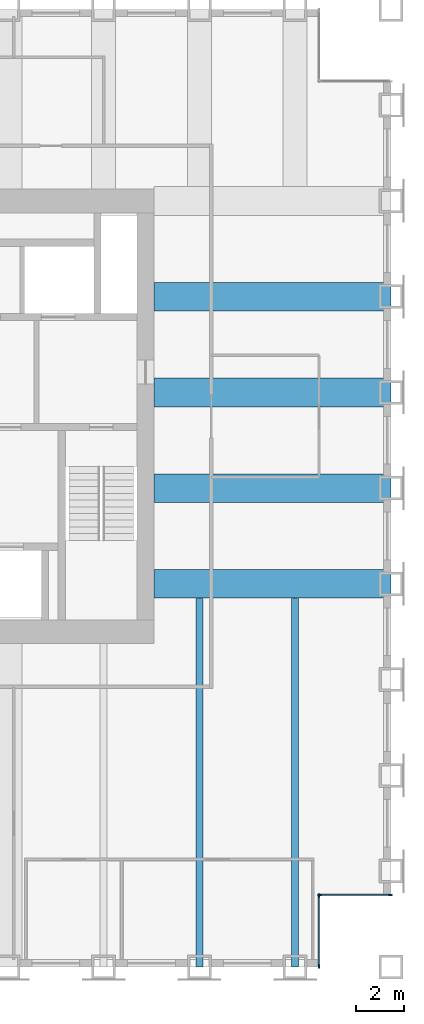
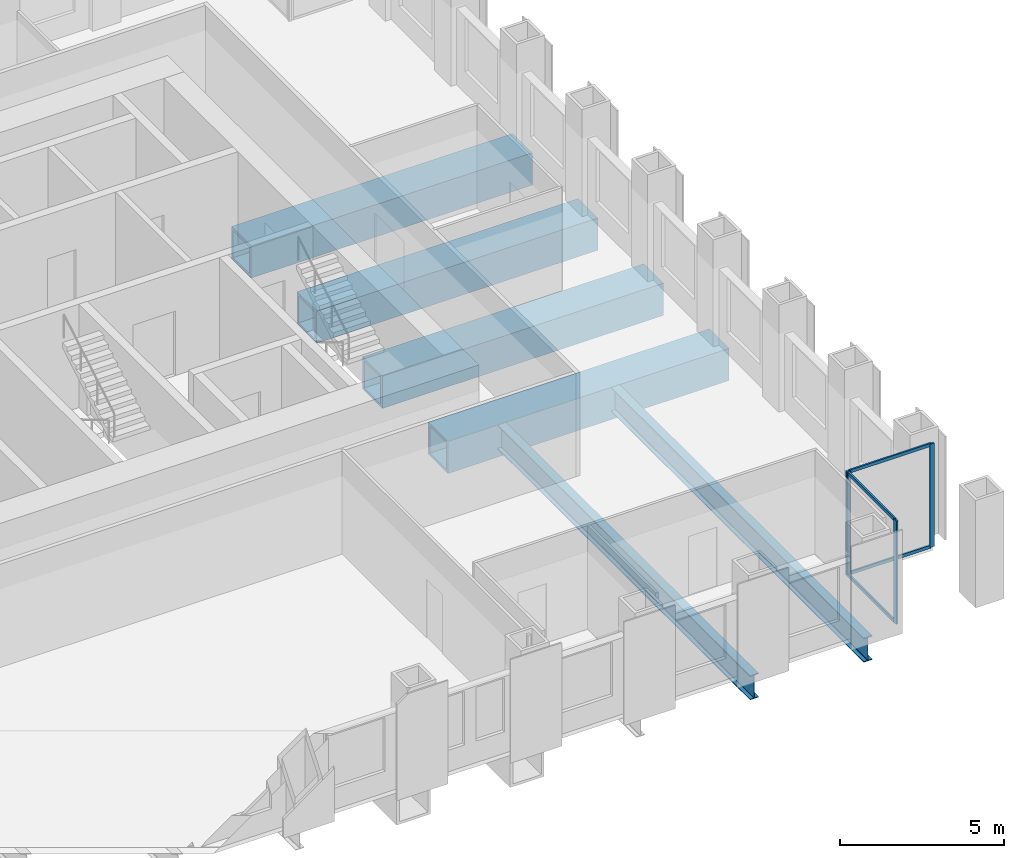
# One storey, part 3 of 10: 8 members, 6 beams, 2 elements without a shape of their own.
"""IFC4 building model written with IfcOpenShell, lengths in metres."""

from ifc_helpers import new_model, si_unit, direction, frame, origin, origin_2d, place, context, subcontext, project, spatial, rectangle, hollow_rectangle, i_section, extrude, material, material_profile, profile_set, type_object, element, aggregate, save


model = new_model("IFC4")

# Units and contexts
model_context = context("Model", 3, precision=1e-05, world=origin(), true_north=direction((0.0, 1.0)))
body_context = subcontext(model_context, "Body", "Model", "MODEL_VIEW")
ifc_project = project(units=[si_unit("LENGTHUNIT", "METRE"), si_unit("AREAUNIT", "SQUARE_METRE"), si_unit("VOLUMEUNIT", "CUBIC_METRE"), si_unit("PLANEANGLEUNIT", "RADIAN"), si_unit("MASSUNIT", "GRAM", prefix="KILO")], contexts=[model_context])

# Site, building, storey
site_placement = place(None, origin())
site = spatial("IfcSite", under=ifc_project, at=site_placement, CompositionType="ELEMENT")
building_placement = place(site_placement, origin())
building = spatial("IfcBuilding", under=site, at=building_placement, Name="Rimbunsela Tower", CompositionType="ELEMENT")
storey_placement = place(building_placement, frame((0.0, 0.0, 274.199951171875)))
storey = spatial("IfcBuildingStorey", under=building, at=storey_placement, Name="L66", CompositionType="ELEMENT", Elevation=274.199951171875)

# Beams
ifc_material_1 = material(Name="Steel BJ 55 (fy 410 MPa)", Category="steel")
ifc_material_profile_1 = material_profile(ifc_material_1, hollow_rectangle(XDim=1.199951171875, YDim=1.199951171875, WallThickness=0.10009765625, at=origin_2d()), Name="BOX 1200x1200x100")
ifc_profile_set_1 = profile_set([ifc_material_profile_1], Name="Steel BJ 55 (fy 410 MPa)")
beam_type_1 = type_object("IfcBeamType", Name="Beam BOX 1200x1200x100", PredefinedType="BEAM", material=ifc_profile_set_1)
for number, where, z_axis, x_axis, name in (
    (1, (36.10009765625, 20.0, -0.75), (1.0, 0.0, 0.0), (0.0, 1.0, 0.0), "Beam B5 L66"),
    (2, (36.10009765625, 24.0, -0.75), (1.0, 0.0, 0.0), (0.0, 1.0, 0.0), "Beam B5 L66"),
    (3, (36.10009765625, 28.0, -0.75), (1.0, 0.0, 0.0), (0.0, 1.0, 0.0), "Beam B5 L66"),
    (4, (36.10009765625, 32.0, -0.75), (1.0, 0.0, 0.0), (0.0, 1.0, 0.0), "Beam B5 L66"),
):
    element("IfcBeam", number, at=place(storey_placement, frame(where, z_axis=z_axis, x_axis=x_axis)), inside=storey, type_object=beam_type_1, Name=name, PredefinedType="BEAM", context=body_context, shape_type="SweptSolid", body=[
        extrude(hollow_rectangle(XDim=1.199951171875, YDim=1.199951171875, WallThickness=0.10009765625, at=origin_2d()), origin(), (0.0, 0.0, 1.0), 9.89990234375),
    ])
ifc_material_2 = material(Name="Steel BJ 55 (fy 410 MPa)", Category="steel")
ifc_material_profile_2 = material_profile(ifc_material_2, i_section(OverallWidth=0.300048828125, OverallDepth=0.89990234375, WebThickness=0.01611328125, FlangeThickness=0.028076171875, FilletRadius=0.028076171875, at=origin_2d()), Name="H 900x300x16x28")
ifc_profile_set_2 = profile_set([ifc_material_profile_2], Name="Steel BJ 55 (fy 410 MPa)")
beam_type_2 = type_object("IfcBeamType", Name="Beam H 900x300x16x28", PredefinedType="BEAM", material=ifc_profile_set_2)
for number, where, z_axis, x_axis, name in (
    (5, (38.0, 4.0, -0.599853515625), (0.0, 1.0, 0.0), (-1.0, 0.0, 0.0), "Beam B2 L66"),
    (6, (42.0, 4.0, -0.599853515625), (0.0, 1.0, 0.0), (-1.0, 0.0, 0.0), "Beam B2 L66"),
):
    element("IfcBeam", number, at=place(storey_placement, frame(where, z_axis=z_axis, x_axis=x_axis)), inside=storey, type_object=beam_type_2, Name=name, PredefinedType="BEAM", context=body_context, shape_type="SweptSolid", body=[
        extrude(i_section(OverallWidth=0.300048828125, OverallDepth=0.89990234375, WebThickness=0.01611328125, FlangeThickness=0.028076171875, FilletRadius=0.028076171875, at=origin_2d()), origin(), (0.0, 0.0, 1.0), 15.39990234375),
    ])

# Curtain wall, members
ifc_material_3 = material(Name="Aluminium curtain wall", Category="aluminium")
curtain_wall_type = type_object("IfcCurtainWallType", Name="Corner glazing", PredefinedType="USERDEFINED", material=ifc_material_3)
curtain_wall_1_placement = place(storey_placement, origin())
curtain_wall_1 = element("IfcCurtainWall", 7, at=curtain_wall_1_placement, inside=storey, type_object=curtain_wall_type, Name="Corner glazing L66", ObjectType="CORNER GLAZING", PredefinedType="USERDEFINED")
ifc_material_4 = material(Name="Aluminium mullion", Category="aluminium")
ifc_material_profile_3 = material_profile(ifc_material_4, rectangle(XDim=0.06005859375, YDim=0.159912109375, at=origin_2d()), Name="Mullion 60x160")
ifc_profile_set_3 = profile_set([ifc_material_profile_3], Name="Aluminium mullion")
member_type_1 = type_object("IfcMemberType", Name="Curtain wall mullion 60x160", PredefinedType="MULLION", material=ifc_profile_set_3)
member_1_placement = place(storey_placement, frame((43.0, 4.030029296875, 0.0), z_axis=(0.0, 0.0, 1.0), x_axis=(-1.0, 0.0, 0.0)))
member_1 = element("IfcMember", 8, at=member_1_placement, type_object=member_type_1, Name="CW5 mullion 1", PredefinedType="MULLION", context=body_context, shape_type="SweptSolid", body=[
    extrude(rectangle(XDim=0.06005859375, YDim=0.159912109375, at=origin_2d()), origin(), (0.0, 0.0, 1.0), 3.85009765625),
])
member_2_placement = place(storey_placement, frame((43.0, 6.969970703125, 0.0), z_axis=(0.0, 0.0, 1.0), x_axis=(-1.0, 0.0, 0.0)))
member_2 = element("IfcMember", 9, at=member_2_placement, type_object=member_type_1, Name="CW5 mullion 2", PredefinedType="MULLION", context=body_context, shape_type="SweptSolid", body=[
    extrude(rectangle(XDim=0.06005859375, YDim=0.159912109375, at=origin_2d()), origin(), (0.0, 0.0, 1.0), 3.85009765625),
])

curtain_wall_2_placement = place(storey_placement, origin())
curtain_wall_2 = element("IfcCurtainWall", 10, at=curtain_wall_2_placement, inside=storey, type_object=curtain_wall_type, Name="Corner glazing L66", ObjectType="CORNER GLAZING", PredefinedType="USERDEFINED")
member_3_placement = place(storey_placement, frame((43.030029296875, 7.0, 0.0), z_axis=(0.0, 0.0, 1.0), x_axis=(0.0, 1.0, 0.0)))
member_3 = element("IfcMember", 11, at=member_3_placement, type_object=member_type_1, Name="CW5 mullion 1", PredefinedType="MULLION", context=body_context, shape_type="SweptSolid", body=[
    extrude(rectangle(XDim=0.06005859375, YDim=0.159912109375, at=origin_2d()), origin(), (0.0, 0.0, 1.0), 3.85009765625),
])
member_4_placement = place(storey_placement, frame((45.969970703125, 7.0, 0.0), z_axis=(0.0, 0.0, 1.0), x_axis=(0.0, 1.0, 0.0)))
member_4 = element("IfcMember", 12, at=member_4_placement, type_object=member_type_1, Name="CW5 mullion 2", PredefinedType="MULLION", context=body_context, shape_type="SweptSolid", body=[
    extrude(rectangle(XDim=0.06005859375, YDim=0.159912109375, at=origin_2d()), origin(), (0.0, 0.0, 1.0), 3.85009765625),
])

# Member
ifc_material_5 = material(Name="Aluminium transom", Category="aluminium")
ifc_material_profile_4 = material_profile(ifc_material_5, rectangle(XDim=0.06005859375, YDim=0.1201171875, at=origin_2d()), Name="Transom 60x120")
ifc_profile_set_4 = profile_set([ifc_material_profile_4], Name="Aluminium transom")
member_type_2 = type_object("IfcMemberType", Name="Curtain wall transom 60x120", PredefinedType="USERDEFINED", material=ifc_profile_set_4)
member_5_placement = place(storey_placement, frame((43.0, 4.06005859375, 0.030029296875), z_axis=(0.0, 1.0, 0.0), x_axis=(-1.0, 0.0, 0.0)))
member_5 = element("IfcMember", 13, at=member_5_placement, type_object=member_type_2, Name="CW5 transom 1.1", ObjectType="TRANSOM", PredefinedType="USERDEFINED", context=body_context, shape_type="SweptSolid", body=[
    extrude(rectangle(XDim=0.06005859375, YDim=0.1201171875, at=origin_2d()), origin(), (0.0, 0.0, 1.0), 2.8798828125),
])

member_6_placement = place(storey_placement, frame((43.0, 4.06005859375, 3.820068359375), z_axis=(0.0, 1.0, 0.0), x_axis=(-1.0, 0.0, 0.0)))
member_6 = element("IfcMember", 14, at=member_6_placement, type_object=member_type_2, Name="CW5 transom 1.2", ObjectType="TRANSOM", PredefinedType="USERDEFINED", context=body_context, shape_type="SweptSolid", body=[
    extrude(rectangle(XDim=0.06005859375, YDim=0.1201171875, at=origin_2d()), origin(), (0.0, 0.0, 1.0), 2.8798828125),
])

aggregate(curtain_wall_1, [member_1, member_2, member_5, member_6])

member_7_placement = place(storey_placement, frame((43.06005859375, 7.0, 0.030029296875), z_axis=(1.0, 0.0, 0.0), x_axis=(0.0, 1.0, 0.0)))
member_7 = element("IfcMember", 15, at=member_7_placement, type_object=member_type_2, Name="CW5 transom 1.1", ObjectType="TRANSOM", PredefinedType="USERDEFINED", context=body_context, shape_type="SweptSolid", body=[
    extrude(rectangle(XDim=0.06005859375, YDim=0.1201171875, at=origin_2d()), origin(), (0.0, 0.0, 1.0), 2.8798828125),
])

member_8_placement = place(storey_placement, frame((43.06005859375, 7.0, 3.820068359375), z_axis=(1.0, 0.0, 0.0), x_axis=(0.0, 1.0, 0.0)))
member_8 = element("IfcMember", 16, at=member_8_placement, type_object=member_type_2, Name="CW5 transom 1.2", ObjectType="TRANSOM", PredefinedType="USERDEFINED", context=body_context, shape_type="SweptSolid", body=[
    extrude(rectangle(XDim=0.06005859375, YDim=0.1201171875, at=origin_2d()), origin(), (0.0, 0.0, 1.0), 2.8798828125),
])

aggregate(curtain_wall_2, [member_3, member_4, member_7, member_8])

save(model, "model.ifc")
